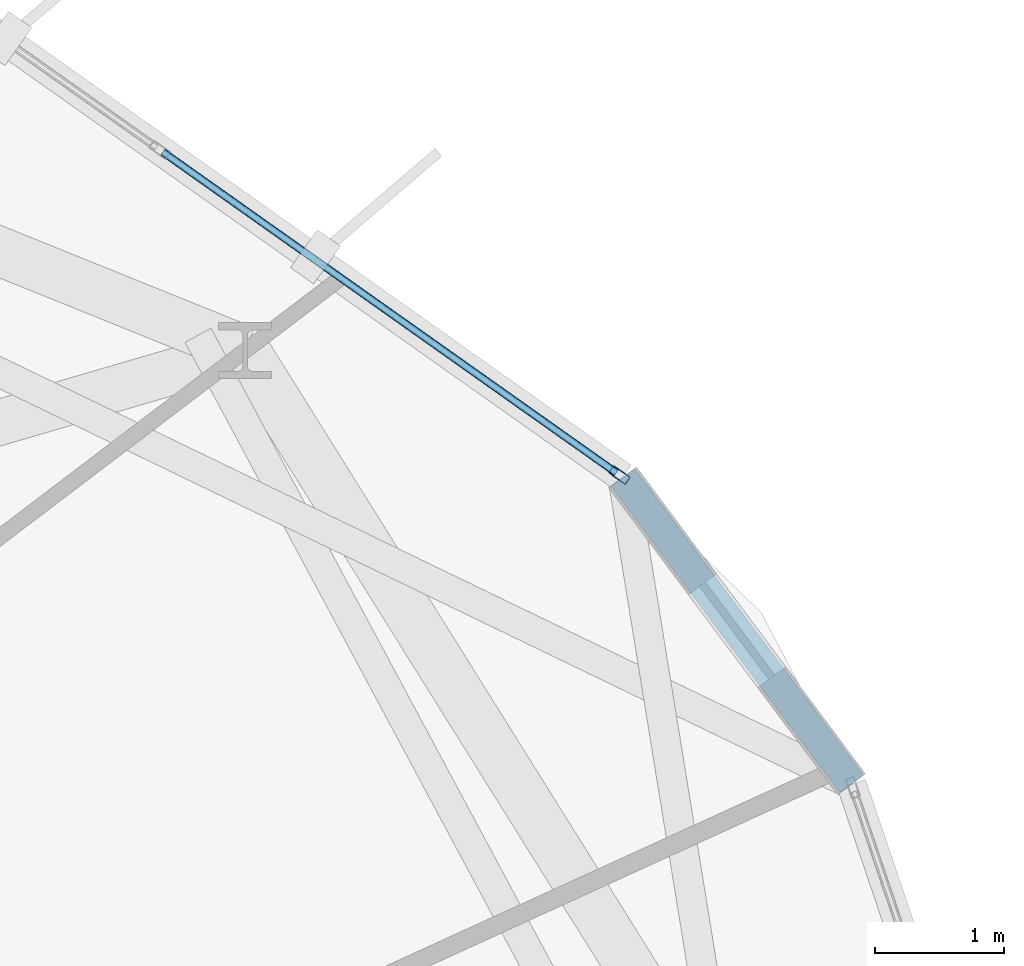
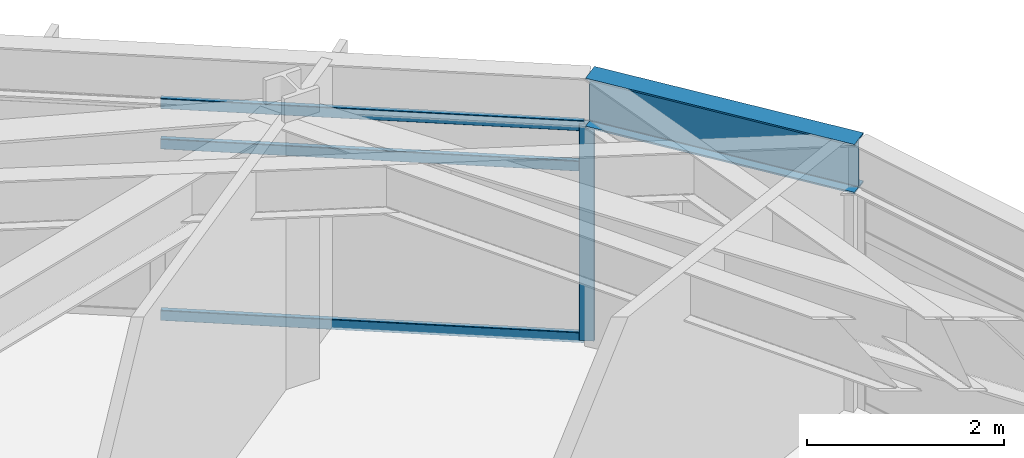
# One storey, part 19 of 27: 4 members, 1 beam, 1 element without a shape of its own.
"""IFC4 building model written with IfcOpenShell, lengths in metres."""

import ifcopenshell
import ifcopenshell.guid

model = None  # the IFC model being written
_history = None  # IfcOwnerHistory: only IFC2X3 demands one
_inside = {}  # id of a spatial element -> (the spatial element, [elements in it])
_under = {}  # id of a project, library or spatial element -> (it, [spatial elements below it])
_declared = {}  # id of a project -> (the project, [libraries it declares])
_typed = {}  # id of a type object -> (the type object, [elements of that type])
_made_of = {}  # id of a material, layer set ... -> (it, [elements and type objects made of it])


def new_model(schema):
    """Start an empty IFC model of exactly this schema.

    Asked for "IFC4X3", IfcOpenShell would pick the latest addendum, in which some entities
    have other attributes; the version numbers below select the first issue.
    IFC2X3 requires an IfcOwnerHistory on every rooted entity: one is made here for all.
    """
    global model, _history
    if schema == "IFC4X3":
        model = ifcopenshell.file(schema_version=(4, 3, 0, 0))
    else:
        model = ifcopenshell.file(schema=schema)
    _inside.clear()
    _under.clear()
    _declared.clear()
    _typed.clear()
    _made_of.clear()
    _history = None
    if model.schema == "IFC2X3":
        org = make("IfcOrganization", Name="unknown")
        user = make(
            "IfcPersonAndOrganization",
            ThePerson=make("IfcPerson", FamilyName="unknown"),
            TheOrganization=org,
        )
        app = make(
            "IfcApplication",
            ApplicationDeveloper=org,
            Version="unknown",
            ApplicationFullName="unknown",
            ApplicationIdentifier="unknown",
        )
        _history = make(
            "IfcOwnerHistory",
            OwningUser=user,
            OwningApplication=app,
            ChangeAction="ADDED",
            CreationDate=0,
        )
    return model


def make(cls, **values):
    """One entity of the class cls with the attributes given. An attribute that is None is left unset."""
    return model.create_entity(
        cls, **{name: value for name, value in values.items() if value is not None}
    )


def rooted(cls, **values):
    """An entity with a GlobalId (a new one), such as an element, a storey or a relation."""
    return make(cls, GlobalId=ifcopenshell.guid.new(), OwnerHistory=_history, **values)


def si_unit(unit_type, name, prefix=None):
    """IfcSIUnit, for example si_unit("LENGTHUNIT", "METRE", prefix="MILLI")."""
    return make("IfcSIUnit", UnitType=unit_type, Prefix=prefix, Name=name)


def assignment(units):
    """IfcUnitAssignment: the units of a project."""
    return None if units is None else make("IfcUnitAssignment", Units=units)


def point(xyz):
    """IfcCartesianPoint."""
    return None if xyz is None else make("IfcCartesianPoint", Coordinates=xyz)


def direction(xyz):
    """IfcDirection."""
    return None if xyz is None else make("IfcDirection", DirectionRatios=xyz)


def frame(location, z_axis=None, x_axis=None):
    """IfcAxis2Placement3D, a coordinate frame: its origin and axes. An axis left out is left unset."""
    return make(
        "IfcAxis2Placement3D",
        Location=point(location),
        Axis=direction(z_axis),
        RefDirection=direction(x_axis),
    )


def frame_2d(location, x_axis=None):
    """IfcAxis2Placement2D, a coordinate frame in the plane: its origin and x axis."""
    return make(
        "IfcAxis2Placement2D", Location=point(location), RefDirection=direction(x_axis)
    )


def origin():
    """The frame at (0, 0, 0) with its axes left unset."""
    return frame((0.0, 0.0, 0.0))


def origin_2d():
    """The frame at (0, 0) in the plane with its x axis left unset."""
    return frame_2d((0.0, 0.0))


def place(relative_to, where):
    """IfcLocalPlacement: puts the frame where relative to a parent placement (None: the world)."""
    return make(
        "IfcLocalPlacement", PlacementRelTo=relative_to, RelativePlacement=where
    )


def context(
    kind, dimensions, precision=None, world=None, true_north=None, identifier=None
):
    """IfcGeometricRepresentationContext, for example the 3D "Model" context."""
    return make(
        "IfcGeometricRepresentationContext",
        ContextIdentifier=identifier,
        ContextType=kind,
        CoordinateSpaceDimension=dimensions,
        Precision=precision,
        WorldCoordinateSystem=world,
        TrueNorth=true_north,
    )


def subcontext(parent, identifier, kind, view, scale=None):
    """IfcGeometricRepresentationSubContext, for example "Body" below "Model"."""
    return make(
        "IfcGeometricRepresentationSubContext",
        ContextIdentifier=identifier,
        ContextType=kind,
        ParentContext=parent,
        TargetScale=scale,
        TargetView=view,
    )


def project(units=None, contexts=None):
    """IfcProject with its units and contexts."""
    return rooted(
        "IfcProject",
        Name="project",
        RepresentationContexts=contexts,
        UnitsInContext=assignment(units),
    )


def spatial(cls, under=None, at=None, **own):
    """A site, building, storey or space (cls), placed at a placement, below another one or the project."""
    s = rooted(cls, ObjectPlacement=at, **own)
    if under is not None:
        _under.setdefault(under.id(), (under, []))[1].append(s)
    return s


def profile(cls, at=None, kind="AREA", **sizes):
    """A parametric profile (cls). Its sizes go by their IFC names, for example OverallWidth=200.0."""
    return make(cls, ProfileType=kind, Position=at, **sizes)


def hollow_rectangle(**sizes):
    """IfcRectangleHollowProfileDef."""
    return profile("IfcRectangleHollowProfileDef", **sizes)


def i_section(**sizes):
    """IfcIShapeProfileDef."""
    return profile("IfcIShapeProfileDef", **sizes)


def extrude(swept, where, along, depth):
    """IfcExtrudedAreaSolid: the profile swept, set in the frame where, extruded along a direction by depth."""
    return make(
        "IfcExtrudedAreaSolid",
        SweptArea=swept,
        Position=where,
        ExtrudedDirection=direction(along),
        Depth=depth,
    )


def shape(context_of_items, identifier, shape_type, items):
    """IfcShapeRepresentation: the items that make up one representation, for example the "Body"."""
    return make(
        "IfcShapeRepresentation",
        ContextOfItems=context_of_items,
        RepresentationIdentifier=identifier,
        RepresentationType=shape_type,
        Items=items,
    )


def material(Name=None, Category=None):
    """IfcMaterial."""
    return make("IfcMaterial", Name=Name, Category=Category)


def layer(
    of_material, thickness, ventilated=None, Name=None, Category=None, Priority=None
):
    """IfcMaterialLayer: one layer of a wall or slab, of a material (None: an air gap)."""
    return make(
        "IfcMaterialLayer",
        Material=of_material,
        LayerThickness=thickness,
        IsVentilated=ventilated,
        Name=Name,
        Category=Category,
        Priority=Priority,
    )


def layer_set(layers, Name=None):
    """IfcMaterialLayerSet."""
    return make("IfcMaterialLayerSet", MaterialLayers=layers, LayerSetName=Name)


def material_profile(
    of_material, cross_section, Name=None, Category=None, Priority=None
):
    """IfcMaterialProfile: a cross section and its material."""
    return make(
        "IfcMaterialProfile",
        Name=Name,
        Material=of_material,
        Profile=cross_section,
        Priority=Priority,
        Category=Category,
    )


def profile_set(profiles, Name=None, composite=None):
    """IfcMaterialProfileSet."""
    return make(
        "IfcMaterialProfileSet",
        Name=Name,
        MaterialProfiles=profiles,
        CompositeProfile=composite,
    )


def made_of(thing, what):
    """Note that an element or type object is made of a material, layer set ...; save() writes the relation."""
    if what is not None:
        _made_of.setdefault(what.id(), (what, []))[1].append(thing)
    return thing


def type_object(cls, material=None, **own):
    """A type object (cls), such as IfcWallType, which elements share."""
    return made_of(rooted(cls, **own), material)


def element(
    cls,
    number,
    at=None,
    inside=None,
    cuts=None,
    type_object=None,
    material=None,
    context=None,
    identifier="Body",
    shape_type=None,
    held_by="IfcProductDefinitionShape",
    body=None,
    shapes=None,
    **own,
):
    """One element of the class cls, such as IfcWall. Its Tag is "e" and its number.

    at: its placement. inside: the storey or other place that contains it. cuts: it is an
    opening in that element (IfcRelVoidsElement). A single representation is given by context,
    identifier, shape_type and body (its items); several are given by shapes. held_by: the class
    of the entity that holds the representations. save() writes the other relations.
    """
    e = rooted(cls, Tag="e%d" % number, ObjectPlacement=at, **own)
    if body is not None:
        shapes = [shape(context, identifier, shape_type, body)]
    if shapes is not None:
        e.Representation = make(held_by, Representations=shapes)
    if inside is not None:
        _inside.setdefault(inside.id(), (inside, []))[1].append(e)
    if cuts is not None:
        rooted(
            "IfcRelVoidsElement", RelatingBuildingElement=cuts, RelatedOpeningElement=e
        )
    if type_object is not None:
        _typed.setdefault(type_object.id(), (type_object, []))[1].append(e)
    return made_of(e, material)


def aggregate(whole, parts):
    """IfcRelAggregates: a whole, such as a stair, and the parts it consists of."""
    return rooted("IfcRelAggregates", RelatingObject=whole, RelatedObjects=parts)


def save(model, path):
    """Write the relations noted so far, then the file.

    IfcRelAggregates (storeys below a building ...), IfcRelContainedInSpatialStructure (elements
    in a storey), IfcRelDefinesByType, IfcRelAssociatesMaterial and IfcRelDeclares: one each for
    every whole, place, type object, material and project.
    """
    for whole, parts in _under.values():
        aggregate(whole, parts)
    for where, things in _inside.values():
        rooted(
            "IfcRelContainedInSpatialStructure",
            RelatedElements=things,
            RelatingStructure=where,
        )
    for kind, things in _typed.values():
        rooted("IfcRelDefinesByType", RelatedObjects=things, RelatingType=kind)
    for what, things in _made_of.values():
        rooted("IfcRelAssociatesMaterial", RelatedObjects=things, RelatingMaterial=what)
    for by, libraries in _declared.values():
        rooted("IfcRelDeclares", RelatingContext=by, RelatedDefinitions=libraries)
    model.write(path)


model = new_model("IFC4")

# Units and contexts
model_context = context("Model", 3, precision=1e-05, world=origin(), true_north=direction((0.0, 1.0)))
body_context = subcontext(model_context, "Body", "Model", "MODEL_VIEW")
ifc_project = project(units=[si_unit("LENGTHUNIT", "METRE"), si_unit("AREAUNIT", "SQUARE_METRE"), si_unit("VOLUMEUNIT", "CUBIC_METRE"), si_unit("PLANEANGLEUNIT", "RADIAN"), si_unit("MASSUNIT", "GRAM", prefix="KILO")], contexts=[model_context])

# Site, building, storey
site_placement = place(None, origin())
site = spatial("IfcSite", under=ifc_project, at=site_placement, CompositionType="ELEMENT")
building_placement = place(site_placement, origin())
building = spatial("IfcBuilding", under=site, at=building_placement, Name="Soratama Intermodal Tower", CompositionType="ELEMENT")
storey_placement = place(building_placement, frame((0.0, 0.0, 167.800048828125)))
storey = spatial("IfcBuildingStorey", under=building, at=storey_placement, Name="L41", CompositionType="ELEMENT", Elevation=167.800048828125)

# Beam
ifc_material_1 = material(Name="Structural steel ASTM A992 Grade 50", Category="steel")
ifc_material_profile_1 = material_profile(ifc_material_1, i_section(OverallWidth=0.22900390625, OverallDepth=0.612060546875, WebThickness=0.011962890625, FlangeThickness=0.01953125, FilletRadius=0.012939453125, at=origin_2d()), Name="W24X84")
ifc_profile_set_1 = profile_set([ifc_material_profile_1], Name="Structural steel ASTM A992 Grade 50")
beam_type = type_object("IfcBeamType", Name="BM-SPN-W24X84", PredefinedType="SPANDREL", material=ifc_profile_set_1)
beam_placement = place(storey_placement, frame((60.948974609375, 35.0458984375, 2.993896484375), z_axis=(-0.59790453929, 0.801567315886, 0.0), x_axis=(-0.801567315886, -0.59790453929, 0.0)))
element("IfcBeam", 1, at=beam_placement, inside=storey, type_object=beam_type, Name="BS-L41-CRN10", PredefinedType="SPANDREL", context=body_context, shape_type="SweptSolid", body=[
    extrude(i_section(OverallWidth=0.22900390625, OverallDepth=0.612060546875, WebThickness=0.011962890625, FlangeThickness=0.01953125, FilletRadius=0.012939453125, at=origin_2d()), origin(), (0.0, 0.0, 1.0), 2.966796875),
])

# Curtain wall, members
ifc_material_2 = material(Name="Double-glazed aluminium curtain wall", Category="aluminium")
ifc_layer = layer(ifc_material_2, 0.159912109375)
ifc_layer_set = layer_set([ifc_layer], Name="Double-glazed aluminium curtain wall")
curtain_wall_type = type_object("IfcCurtainWallType", Name="CW-SYS-4", PredefinedType="NOTDEFINED", material=ifc_layer_set)
curtain_wall_placement = place(storey_placement, origin())
curtain_wall = element("IfcCurtainWall", 2, at=curtain_wall_placement, inside=storey, type_object=curtain_wall_type, Name="L41 Faceted Curtain Wall F01", PredefinedType="NOTDEFINED")
ifc_material_3 = material(Name="Anodised aluminium AA 6063-T6", Category="aluminium")
ifc_material_profile_2 = material_profile(ifc_material_3, hollow_rectangle(XDim=0.070068359375, YDim=0.159912109375, WallThickness=0.0048828125, InnerFilletRadius=0.0048828125, OuterFilletRadius=0.010009765625, at=origin_2d()), Name="CWM160X70X5")
ifc_profile_set_2 = profile_set([ifc_material_profile_2], Name="Anodised aluminium AA 6063-T6")
member_type_1 = type_object("IfcMemberType", Name="MT-CWM-4", PredefinedType="MULLION", material=ifc_profile_set_2)
member_1_placement = place(storey_placement, frame((59.150390625, 37.441162109375, 0.0), z_axis=(0.0, 0.0, 1.0), x_axis=(-0.577564383542, -0.816345137098, 0.0)))
member_1 = element("IfcMember", 3, at=member_1_placement, type_object=member_type_1, Name="CW-4 mullion 1", PredefinedType="MULLION", context=body_context, shape_type="SweptSolid", body=[
    extrude(hollow_rectangle(XDim=0.070068359375, YDim=0.159912109375, WallThickness=0.0048828125, InnerFilletRadius=0.0048828125, OuterFilletRadius=0.010009765625, at=origin_2d()), origin(), (0.0, 0.0, 1.0), 2.678955078125),
])
ifc_material_4 = material(Name="Anodised aluminium AA 6063-T6", Category="aluminium")
ifc_material_profile_3 = material_profile(ifc_material_4, hollow_rectangle(XDim=0.06005859375, YDim=0.1298828125, WallThickness=0.0048828125, InnerFilletRadius=0.0048828125, OuterFilletRadius=0.010009765625, at=origin_2d()), Name="CWT130X60X5")
ifc_profile_set_3 = profile_set([ifc_material_profile_3], Name="Anodised aluminium AA 6063-T6")
member_type_2 = type_object("IfcMemberType", Name="TT-CWT-2", PredefinedType="USERDEFINED", material=ifc_profile_set_3)
member_2_placement = place(storey_placement, frame((59.1259765625, 37.45849609375, 0.030029296875), z_axis=(-0.816360869685, 0.577542146035, 0.0), x_axis=(-0.577542146035, -0.816360869685, 0.0)))
member_2 = element("IfcMember", 4, at=member_2_placement, type_object=member_type_2, Name="CW-4 transom 1.1", ObjectType="TRANSOM", PredefinedType="USERDEFINED", context=body_context, shape_type="SweptSolid", body=[
    extrude(hollow_rectangle(XDim=0.06005859375, YDim=0.1298828125, WallThickness=0.0048828125, InnerFilletRadius=0.0048828125, OuterFilletRadius=0.010009765625, at=origin_2d()), origin(), (0.0, 0.0, 1.0), 4.305908203125),
])
member_3_placement = place(storey_placement, frame((59.1259765625, 37.45849609375, 2.14990234375), z_axis=(-0.816360869685, 0.577542146035, 0.0), x_axis=(-0.577542146035, -0.816360869685, 0.0)))
member_3 = element("IfcMember", 5, at=member_3_placement, type_object=member_type_2, Name="CW-4 transom 1.2", ObjectType="TRANSOM", PredefinedType="USERDEFINED", context=body_context, shape_type="SweptSolid", body=[
    extrude(hollow_rectangle(XDim=0.06005859375, YDim=0.1298828125, WallThickness=0.0048828125, InnerFilletRadius=0.0048828125, OuterFilletRadius=0.010009765625, at=origin_2d()), origin(), (0.0, 0.0, 1.0), 4.305908203125),
])
member_4_placement = place(storey_placement, frame((59.1259765625, 37.45849609375, 2.64892578125), z_axis=(-0.816360869685, 0.577542146035, 0.0), x_axis=(-0.577542146035, -0.816360869685, 0.0)))
member_4 = element("IfcMember", 6, at=member_4_placement, type_object=member_type_2, Name="CW-4 transom 1.3", ObjectType="TRANSOM", PredefinedType="USERDEFINED", context=body_context, shape_type="SweptSolid", body=[
    extrude(hollow_rectangle(XDim=0.06005859375, YDim=0.1298828125, WallThickness=0.0048828125, InnerFilletRadius=0.0048828125, OuterFilletRadius=0.010009765625, at=origin_2d()), origin(), (0.0, 0.0, 1.0), 4.305908203125),
])
aggregate(curtain_wall, [member_1, member_2, member_3, member_4])

save(model, "model.ifc")
